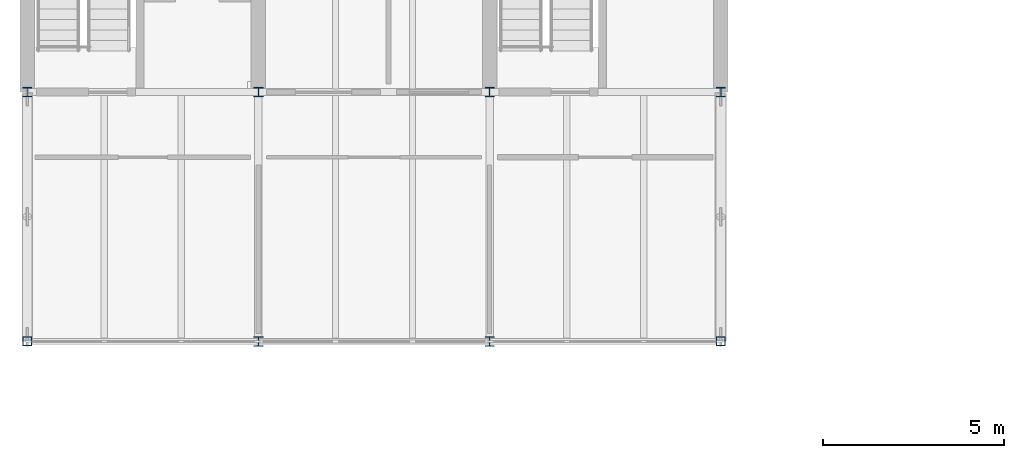
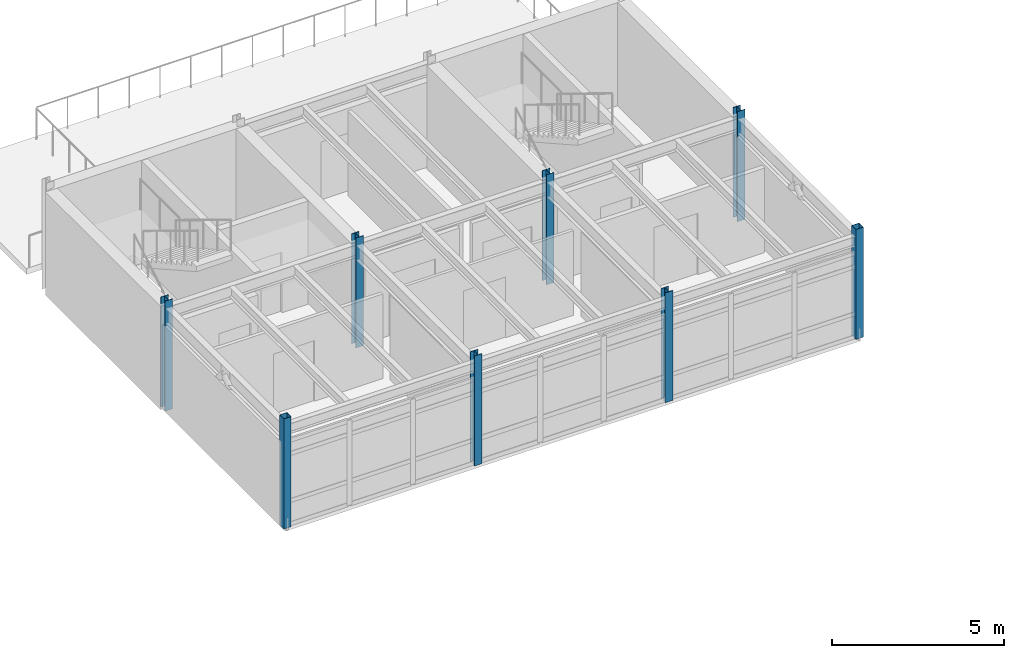
# One storey, part 2 of 20: 8 columns.
"""IFC4 building model written with IfcOpenShell, lengths in metres."""

from ifc_helpers import new_model, si_unit, direction, frame, origin, origin_2d, place, context, subcontext, project, spatial, hollow_rectangle, i_section, extrude, material, material_profile, profile_set, type_object, element, save


model = new_model("IFC4")

# Units and contexts
model_context = context("Model", 3, precision=1e-05, world=origin(), true_north=direction((0.0, 1.0)))
body_context = subcontext(model_context, "Body", "Model", "MODEL_VIEW")
ifc_project = project(units=[si_unit("LENGTHUNIT", "METRE"), si_unit("AREAUNIT", "SQUARE_METRE"), si_unit("VOLUMEUNIT", "CUBIC_METRE"), si_unit("PLANEANGLEUNIT", "RADIAN"), si_unit("MASSUNIT", "GRAM", prefix="KILO")], contexts=[model_context])

# Site, building, storey
site_placement = place(None, origin())
site = spatial("IfcSite", under=ifc_project, at=site_placement, CompositionType="ELEMENT")
building_placement = place(site_placement, origin())
building = spatial("IfcBuilding", under=site, at=building_placement, Name="Trelmorton Wharf Fire Station", CompositionType="ELEMENT")
storey_placement = place(building_placement, frame((0.0, 0.0, 21.300048828125)))
storey = spatial("IfcBuildingStorey", under=building, at=storey_placement, Name="L05", CompositionType="ELEMENT", Elevation=21.300048828125)

# Columns
ifc_material_1 = material(Name="Steel Grade 350", Category="steel")
ifc_material_profile_1 = material_profile(ifc_material_1, i_section(OverallWidth=0.256103515625, OverallDepth=0.260009765625, WebThickness=0.010498046875, FlangeThickness=0.017333984375, FilletRadius=0.0126953125, at=origin_2d()), Name="250UC89.5")
ifc_profile_set_1 = profile_set([ifc_material_profile_1], Name="Steel Grade 350")
column_type_1 = type_object("IfcColumnType", Name="COL_250UC89", PredefinedType="COLUMN", material=ifc_profile_set_1)
for number, where, z_axis, x_axis, name in (
    (1, (70.800048828125, 67.199951171875, 0.0), (0.0, 0.0, 1.0), (1.0, 0.0, 0.0), "COL-L05-0751"),
    (2, (77.199951171875, 60.300048828125, 0.0), (0.0, 0.0, 1.0), (1.0, 0.0, 0.0), "COL-L05-0753"),
    (3, (77.199951171875, 67.199951171875, 0.0), (0.0, 0.0, 1.0), (1.0, 0.0, 0.0), "COL-L05-0754"),
    (4, (83.60009765625, 60.300048828125, 0.0), (0.0, 0.0, 1.0), (1.0, 0.0, 0.0), "COL-L05-0756"),
    (5, (83.60009765625, 67.199951171875, 0.0), (0.0, 0.0, 1.0), (1.0, 0.0, 0.0), "COL-L05-0757"),
    (6, (90.0, 67.199951171875, 0.0), (0.0, 0.0, 1.0), (1.0, 0.0, 0.0), "COL-L05-0760"),
):
    element("IfcColumn", number, at=place(storey_placement, frame(where, z_axis=z_axis, x_axis=x_axis)), inside=storey, type_object=column_type_1, Name=name, PredefinedType="COLUMN", context=body_context, shape_type="SweptSolid", body=[
        extrude(i_section(OverallWidth=0.256103515625, OverallDepth=0.260009765625, WebThickness=0.010498046875, FlangeThickness=0.017333984375, FilletRadius=0.0126953125, at=origin_2d()), origin(), (0.0, 0.0, 1.0), 3.89990234375),
    ])
ifc_material_2 = material(Name="Signal-red architectural steel Grade 350", Category="steel")
ifc_material_profile_2 = material_profile(ifc_material_2, hollow_rectangle(XDim=0.25, YDim=0.25, WallThickness=0.012451171875, at=origin_2d()), Name="250x250x12.5SHS")
ifc_profile_set_2 = profile_set([ifc_material_profile_2], Name="Signal-red architectural steel Grade 350")
column_type_2 = type_object("IfcColumnType", Name="COL_RED_250SHS", PredefinedType="COLUMN", material=ifc_profile_set_2)
for number, where, z_axis, x_axis, name in (
    (7, (70.800048828125, 60.300048828125, 0.0), (0.0, 0.0, 1.0), (1.0, 0.0, 0.0), "COL-L05-0750"),
    (8, (90.0, 60.300048828125, 0.0), (0.0, 0.0, 1.0), (1.0, 0.0, 0.0), "COL-L05-0759"),
):
    element("IfcColumn", number, at=place(storey_placement, frame(where, z_axis=z_axis, x_axis=x_axis)), inside=storey, type_object=column_type_2, Name=name, PredefinedType="COLUMN", context=body_context, shape_type="SweptSolid", body=[
        extrude(hollow_rectangle(XDim=0.25, YDim=0.25, WallThickness=0.012451171875, at=origin_2d()), origin(), (0.0, 0.0, 1.0), 3.89990234375),
    ])

save(model, "model.ifc")
